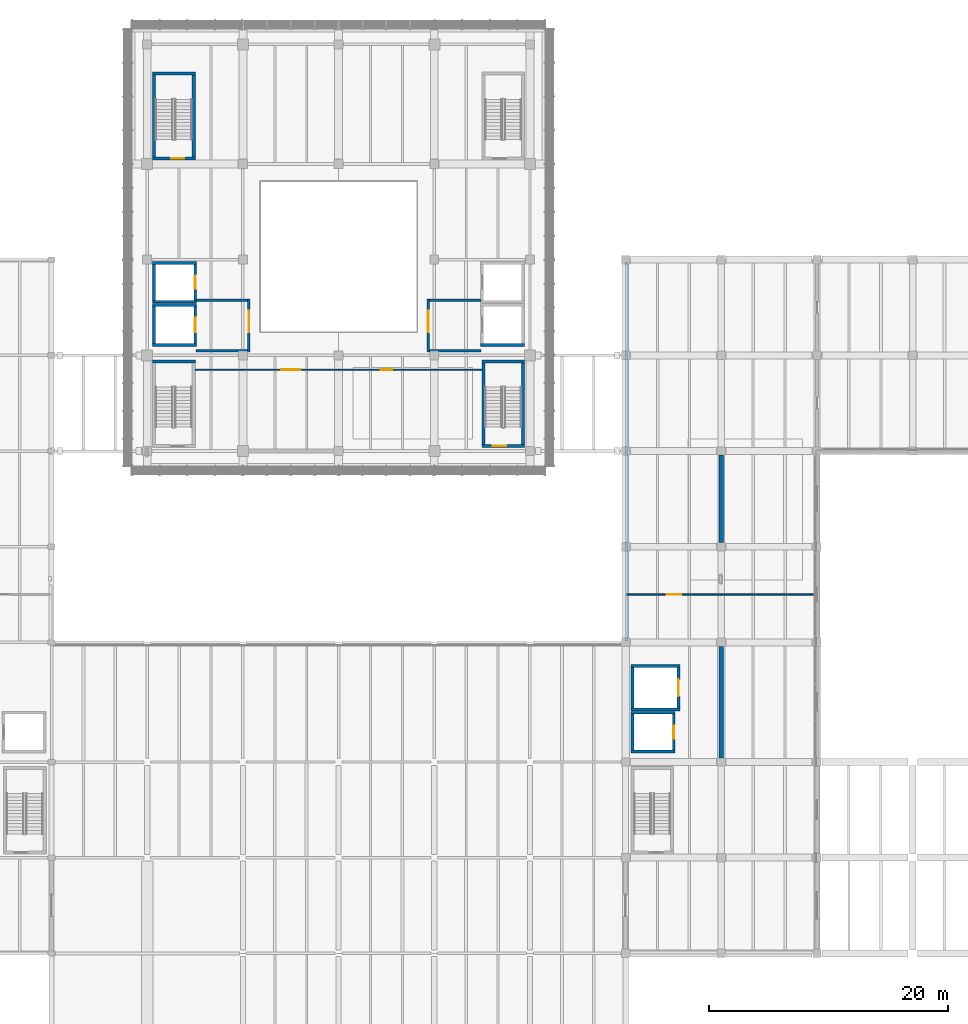
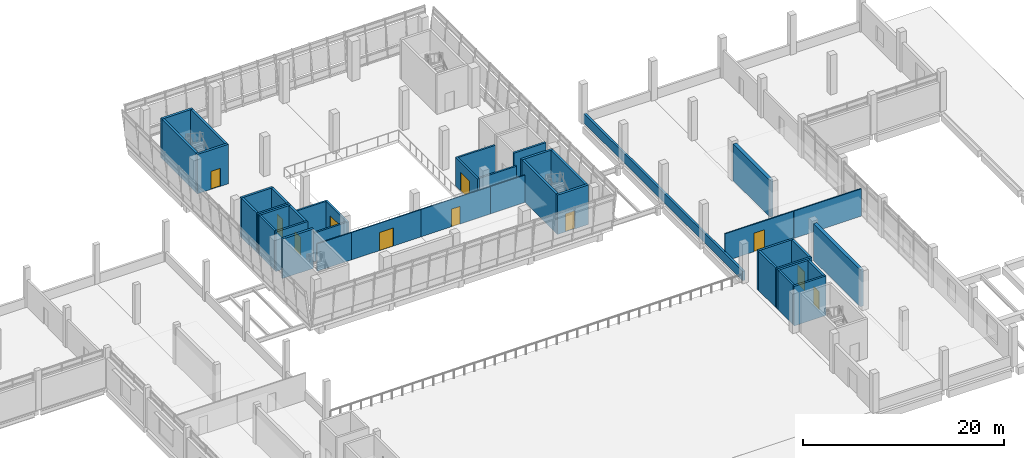
# One storey, part 32 of 52: 41 walls, 11 doors, 11 openings.
"""IFC4 building model written with IfcOpenShell, lengths in metres."""

from ifc_helpers import new_model, si_unit, direction, frame, frame_2d, origin, place, context, subcontext, project, spatial, rectangle, extrude, material, layer, layer_set, type_object, element, fill, save


model = new_model("IFC4")

# Units and contexts
model_context = context("Model", 3, precision=1e-05, world=origin(), true_north=direction((0.0, 1.0)))
body_context = subcontext(model_context, "Body", "Model", "MODEL_VIEW")
ifc_project = project(units=[si_unit("LENGTHUNIT", "METRE"), si_unit("AREAUNIT", "SQUARE_METRE"), si_unit("VOLUMEUNIT", "CUBIC_METRE"), si_unit("PLANEANGLEUNIT", "RADIAN"), si_unit("MASSUNIT", "GRAM", prefix="KILO")], contexts=[model_context])

# Site, building, storey
site_placement = place(None, origin())
site = spatial("IfcSite", under=ifc_project, at=site_placement, CompositionType="ELEMENT")
building_placement = place(site_placement, origin())
building = spatial("IfcBuilding", under=site, at=building_placement, Name="Pecanmere Concourse Central Library", CompositionType="ELEMENT")
storey_placement = place(building_placement, frame((0.0, 0.0, 10.5)))
storey = spatial("IfcBuildingStorey", under=building, at=storey_placement, Name="L03", CompositionType="ELEMENT", Elevation=10.5)

# Wall
ifc_material_1 = material(Name="Fire-rated gypsum board on acoustic steel stud", Category="steel")
ifc_layer_1 = layer(ifc_material_1, 0.114990234375, Name="IW_PART_115")
ifc_layer_set_1 = layer_set([ifc_layer_1], Name="Fire-rated gypsum board on acoustic steel stud")
wall_type_1 = type_object("IfcWallType", Name="IW_PART_115", PredefinedType="PARTITIONING", material=ifc_layer_set_1)
wall_1_placement = place(storey_placement, frame((76.030029296875, 96.800048828125, 0.0), z_axis=(0.0, 0.0, 1.0), x_axis=(1.0, 0.0, 0.0)))
element("IfcWall", 1, at=wall_1_placement, inside=storey, type_object=wall_type_1, Name="Interior Partition L03-0188", PredefinedType="PARTITIONING", context=body_context, shape_type="SweptSolid", body=[
    extrude(rectangle(XDim=3.969970703125, YDim=0.114990234375, at=frame_2d((1.98486328125, 0.0))), origin(), (0.0, 0.0, 1.0), 3.330078125),
])

# Wall, opening, door
wall_2_placement = place(storey_placement, frame((80.02001953125, 96.800048828125, 0.0), z_axis=(0.0, 0.0, 1.0), x_axis=(1.0, 0.0, 0.0)))
wall_2 = element("IfcWall", 2, at=wall_2_placement, inside=storey, type_object=wall_type_1, Name="Interior Partition L03-0189", PredefinedType="PARTITIONING", context=body_context, shape_type="SweptSolid", body=[
    extrude(rectangle(XDim=7.97998046875, YDim=0.114990234375, at=frame_2d((3.989990234375, 0.0))), origin(), (0.0, 0.0, 1.0), 3.330078125),
])
opening_1_placement = place(wall_2_placement, frame((3.18994140625, 0.0, 0.0)))
opening_1 = element("IfcOpeningElement", 3, at=opening_1_placement, cuts=wall_2, Name="Opening DT-02", PredefinedType="OPENING", context=body_context, shape_type="SweptSolid", body=[
    extrude(rectangle(XDim=1.60009765625, YDim=2.199951171875, at=frame_2d((0.800048828125, 1.10009765625))), frame((0.0, 0.0693359375, 0.0), z_axis=(0.0, -1.0, 0.0), x_axis=(1.0, 0.0, 0.0)), (0.0, 0.0, 1.0), 0.138916015625),
])
ifc_material_2 = material(Name="Solid white oak architectural joinery")
door_type_1 = type_object("IfcDoorType", Name="DT-02", OperationType="DOUBLE_DOOR_SINGLE_SWING", PredefinedType="DOOR", material=ifc_material_2)
door_1_placement = place(opening_1_placement, frame((1.60009765625, 0.0, 0.0), z_axis=(0.0, 0.0, 1.0), x_axis=(-1.0, 0.0, 0.0)))
door_1 = element("IfcDoor", 4, at=door_1_placement, inside=storey, type_object=door_type_1, Name="D-215", OperationType="DOUBLE_DOOR_SINGLE_SWING", OverallHeight=2.199951171875, OverallWidth=1.60009765625, PredefinedType="DOOR", context=body_context, shape_type="SweptSolid", body=[
    extrude(rectangle(XDim=1.60009765625, YDim=2.199951171875, at=frame_2d((0.800048828125, 1.10009765625))), frame((0.0, 0.02490234375, 0.0), z_axis=(0.0, -1.0, 0.0), x_axis=(1.0, 0.0, 0.0)), (0.0, 0.0, 1.0), 0.050048828125),
])
fill(opening_1, door_1)

wall_3_placement = place(storey_placement, frame((88.02001953125, 96.800048828125, 0.0), z_axis=(0.0, 0.0, 1.0), x_axis=(1.0, 0.0, 0.0)))
wall_3 = element("IfcWall", 5, at=wall_3_placement, inside=storey, type_object=wall_type_1, Name="Interior Partition L03-0190", PredefinedType="PARTITIONING", context=body_context, shape_type="SweptSolid", body=[
    extrude(rectangle(XDim=7.97998046875, YDim=0.114990234375, at=frame_2d((3.989990234375, 0.0))), origin(), (0.0, 0.0, 1.0), 3.330078125),
])
opening_2_placement = place(wall_3_placement, frame((3.514892578125, 0.0, 0.0)))
opening_2 = element("IfcOpeningElement", 6, at=opening_2_placement, cuts=wall_3, Name="Opening DT-06", PredefinedType="OPENING", context=body_context, shape_type="SweptSolid", body=[
    extrude(rectangle(XDim=0.949951171875, YDim=2.14990234375, at=frame_2d((0.47509765625, 1.074951171875))), frame((0.0, 0.0693359375, 0.0), z_axis=(0.0, -1.0, 0.0), x_axis=(1.0, 0.0, 0.0)), (0.0, 0.0, 1.0), 0.138916015625),
])
ifc_material_3 = material(Name="Solid white oak architectural joinery")
door_type_2 = type_object("IfcDoorType", Name="DT-06", OperationType="SINGLE_SWING_RIGHT", PredefinedType="DOOR", material=ifc_material_3)
door_2_placement = place(opening_2_placement, origin())
door_2 = element("IfcDoor", 7, at=door_2_placement, inside=storey, type_object=door_type_2, Name="D-216", OperationType="SINGLE_SWING_RIGHT", OverallHeight=2.14990234375, OverallWidth=0.949951171875, PredefinedType="DOOR", context=body_context, shape_type="SweptSolid", body=[
    extrude(rectangle(XDim=0.949951171875, YDim=2.14990234375, at=frame_2d((0.47509765625, 1.074951171875))), frame((0.0, 0.02490234375, 0.0), z_axis=(0.0, -1.0, 0.0), x_axis=(1.0, 0.0, 0.0)), (0.0, 0.0, 1.0), 0.050048828125),
])
fill(opening_2, door_2)

# Wall
wall_4_placement = place(storey_placement, frame((96.02001953125, 96.800048828125, 0.0), z_axis=(0.0, 0.0, 1.0), x_axis=(1.0, 0.0, 0.0)))
element("IfcWall", 8, at=wall_4_placement, inside=storey, type_object=wall_type_1, Name="Interior Partition L03-0191", PredefinedType="PARTITIONING", context=body_context, shape_type="SweptSolid", body=[
    extrude(rectangle(XDim=3.949951171875, YDim=0.114990234375, at=frame_2d((1.97509765625, 0.0))), origin(), (0.0, 0.0, 1.0), 3.330078125),
])

# Wall, opening, door
ifc_material_4 = material(Name="Fire-rated gypsum board on acoustic steel stud", Category="steel")
ifc_layer_2 = layer(ifc_material_4, 0.135009765625, Name="IW_PART_135")
ifc_layer_set_2 = layer_set([ifc_layer_2], Name="Fire-rated gypsum board on acoustic steel stud")
wall_type_2 = type_object("IfcWallType", Name="IW_PART_135", PredefinedType="PARTITIONING", material=ifc_layer_set_2)
wall_5_placement = place(storey_placement, frame((112.10009765625, 78.0, 0.0), z_axis=(0.0, 0.0, 1.0), x_axis=(1.0, 0.0, 0.0)))
wall_5 = element("IfcWall", 9, at=wall_5_placement, inside=storey, type_object=wall_type_2, Name="Interior Partition L03-0176", PredefinedType="PARTITIONING", context=body_context, shape_type="SweptSolid", body=[
    extrude(rectangle(XDim=7.89990234375, YDim=0.135009765625, at=frame_2d((3.949951171875, 0.0))), origin(), (0.0, 0.0, 1.0), 3.330078125),
])
opening_3_placement = place(wall_5_placement, frame((3.35009765625, 0.0, 0.0)))
opening_3 = element("IfcOpeningElement", 10, at=opening_3_placement, cuts=wall_5, Name="Opening FD-04", PredefinedType="OPENING", context=body_context, shape_type="SweptSolid", body=[
    extrude(rectangle(XDim=1.199951171875, YDim=2.25, at=frame_2d((0.60009765625, 1.125))), frame((0.0, 0.07958984375, 0.0), z_axis=(0.0, -1.0, 0.0), x_axis=(1.0, 0.0, 0.0)), (0.0, 0.0, 1.0), 0.158935546875),
])
ifc_material_5 = material(Name="Painted architectural steel ASTM A36", Category="steel")
door_type_3 = type_object("IfcDoorType", Name="FD-04", OperationType="SINGLE_SWING_LEFT", PredefinedType="DOOR", material=ifc_material_5)
door_3_placement = place(opening_3_placement, frame((1.199951171875, 0.0, 0.0), z_axis=(0.0, 0.0, 1.0), x_axis=(-1.0, 0.0, 0.0)))
door_3 = element("IfcDoor", 11, at=door_3_placement, inside=storey, type_object=door_type_3, Name="D-207", OperationType="SINGLE_SWING_LEFT", OverallHeight=2.25, OverallWidth=1.199951171875, PredefinedType="DOOR", context=body_context, shape_type="SweptSolid", body=[
    extrude(rectangle(XDim=1.199951171875, YDim=2.25, at=frame_2d((0.60009765625, 1.125))), frame((0.0, 0.02490234375, 0.0), z_axis=(0.0, -1.0, 0.0), x_axis=(1.0, 0.0, 0.0)), (0.0, 0.0, 1.0), 0.050048828125),
])
fill(opening_3, door_3)

# Walls
wall_6_placement = place(storey_placement, frame((120.02001953125, 78.0, 0.0), z_axis=(0.0, 0.0, 1.0), x_axis=(1.0, 0.0, 0.0)))
element("IfcWall", 12, at=wall_6_placement, inside=storey, type_object=wall_type_2, Name="Interior Partition L03-0177", PredefinedType="PARTITIONING", context=body_context, shape_type="SweptSolid", body=[
    extrude(rectangle(XDim=7.794921875, YDim=0.135009765625, at=frame_2d((3.8974609375, 0.0))), origin(), (0.0, 0.0, 1.0), 3.330078125),
])
ifc_material_6 = material(Name="Fire-rated gypsum board on acoustic steel stud", Category="steel")
ifc_layer_3 = layer(ifc_material_6, 0.199951171875, Name="IW_PART_200")
ifc_layer_set_3 = layer_set([ifc_layer_3], Name="Fire-rated gypsum board on acoustic steel stud")
wall_type_3 = type_object("IfcWallType", Name="IW_PART_200", PredefinedType="PARTITIONING", material=ifc_layer_set_3)
for number, where, z_axis, x_axis, name in (
    (13, (76.10009765625, 98.39990234375, 0.0), (0.0, 0.0, 1.0), (1.0, 0.0, 0.0), "Firefighting Lobby Wall W-L03-S"),
    (14, (76.10009765625, 102.60009765625, 0.0), (0.0, 0.0, 1.0), (1.0, 0.0, 0.0), "Firefighting Lobby Wall W-L03-N"),
):
    element("IfcWall", number, at=place(storey_placement, frame(where, z_axis=z_axis, x_axis=x_axis)), inside=storey, type_object=wall_type_3, Name=name, PredefinedType="PARTITIONING", context=body_context, shape_type="SweptSolid", body=[
        extrude(rectangle(XDim=4.27978515625, YDim=0.199951171875, at=frame_2d((2.139892578125, 0.0))), origin(), (0.0, 0.0, 1.0), 3.5),
    ])

# Wall, opening, door
wall_7_placement = place(storey_placement, frame((80.5, 98.300048828125, 0.0), z_axis=(0.0, 0.0, 1.0), x_axis=(0.0, 1.0, 0.0)))
wall_7 = element("IfcWall", 15, at=wall_7_placement, inside=storey, type_object=wall_type_3, Name="Firefighting Lobby Door Wall W-L03", PredefinedType="PARTITIONING", context=body_context, shape_type="SweptSolid", body=[
    extrude(rectangle(XDim=4.39990234375, YDim=0.199951171875, at=frame_2d((2.199951171875, 0.0))), origin(), (0.0, 0.0, 1.0), 3.5),
])
opening_4_placement = place(wall_7_placement, frame((1.6201171875, 0.0, 0.0)))
opening_4 = element("IfcOpeningElement", 16, at=opening_4_placement, cuts=wall_7, Name="Opening FD-03", PredefinedType="OPENING", context=body_context, shape_type="SweptSolid", body=[
    extrude(rectangle(XDim=1.800048828125, YDim=2.25, at=frame_2d((0.89990234375, 1.125))), frame((0.0, 0.11181640625, 0.0), z_axis=(0.0, -1.0, 0.0), x_axis=(1.0, 0.0, 0.0)), (0.0, 0.0, 1.0), 0.223876953125),
])
ifc_material_7 = material(Name="Painted architectural steel ASTM A36", Category="steel")
door_type_4 = type_object("IfcDoorType", Name="FD-03", OperationType="DOUBLE_DOOR_SINGLE_SWING", PredefinedType="DOOR", material=ifc_material_7)
door_4_placement = place(opening_4_placement, origin())
door_4 = element("IfcDoor", 17, at=door_4_placement, inside=storey, type_object=door_type_4, Name="D-115", OperationType="DOUBLE_DOOR_SINGLE_SWING", OverallHeight=2.25, OverallWidth=1.800048828125, PredefinedType="DOOR", context=body_context, shape_type="SweptSolid", body=[
    extrude(rectangle(XDim=1.800048828125, YDim=2.25, at=frame_2d((0.89990234375, 1.125))), frame((0.0, 0.02490234375, 0.0), z_axis=(0.0, -1.0, 0.0), x_axis=(1.0, 0.0, 0.0)), (0.0, 0.0, 1.0), 0.050048828125),
])
fill(opening_4, door_4)

# Walls
for number, where, z_axis, x_axis, name in (
    (18, (95.6201171875, 98.39990234375, 0.0), (0.0, 0.0, 1.0), (1.0, 0.0, 0.0), "Firefighting Lobby Wall E-L03-S"),
    (19, (95.6201171875, 102.60009765625, 0.0), (0.0, 0.0, 1.0), (1.0, 0.0, 0.0), "Firefighting Lobby Wall E-L03-N"),
):
    element("IfcWall", number, at=place(storey_placement, frame(where, z_axis=z_axis, x_axis=x_axis)), inside=storey, type_object=wall_type_3, Name=name, PredefinedType="PARTITIONING", context=body_context, shape_type="SweptSolid", body=[
        extrude(rectangle(XDim=4.27978515625, YDim=0.199951171875, at=frame_2d((2.139892578125, 0.0))), origin(), (0.0, 0.0, 1.0), 3.5),
    ])

# Wall, opening, door
wall_8_placement = place(storey_placement, frame((95.5, 98.300048828125, 0.0), z_axis=(0.0, 0.0, 1.0), x_axis=(0.0, 1.0, 0.0)))
wall_8 = element("IfcWall", 20, at=wall_8_placement, inside=storey, type_object=wall_type_3, Name="Firefighting Lobby Door Wall E-L03", PredefinedType="PARTITIONING", context=body_context, shape_type="SweptSolid", body=[
    extrude(rectangle(XDim=4.39990234375, YDim=0.199951171875, at=frame_2d((2.199951171875, 0.0))), origin(), (0.0, 0.0, 1.0), 3.5),
])
opening_5_placement = place(wall_8_placement, frame((1.6201171875, 0.0, 0.0)))
opening_5 = element("IfcOpeningElement", 21, at=opening_5_placement, cuts=wall_8, Name="Opening FD-03", PredefinedType="OPENING", context=body_context, shape_type="SweptSolid", body=[
    extrude(rectangle(XDim=1.800048828125, YDim=2.25, at=frame_2d((0.89990234375, 1.125))), frame((0.0, 0.11181640625, 0.0), z_axis=(0.0, -1.0, 0.0), x_axis=(1.0, 0.0, 0.0)), (0.0, 0.0, 1.0), 0.223876953125),
])
door_5_placement = place(opening_5_placement, origin())
door_5 = element("IfcDoor", 22, at=door_5_placement, inside=storey, type_object=door_type_4, Name="D-116", OperationType="DOUBLE_DOOR_SINGLE_SWING", OverallHeight=2.25, OverallWidth=1.800048828125, PredefinedType="DOOR", context=body_context, shape_type="SweptSolid", body=[
    extrude(rectangle(XDim=1.800048828125, YDim=2.25, at=frame_2d((0.89990234375, 1.125))), frame((0.0, 0.02490234375, 0.0), z_axis=(0.0, -1.0, 0.0), x_axis=(1.0, 0.0, 0.0)), (0.0, 0.0, 1.0), 0.050048828125),
])
fill(opening_5, door_5)

# Walls
ifc_material_8 = material(Name="Texas cream limestone ashlar masonry", Category="masonry")
ifc_layer_4 = layer(ifc_material_8, 0.25, Name="PW_PARA_250")
ifc_layer_set_4 = layer_set([ifc_layer_4], Name="Texas cream limestone ashlar masonry")
wall_type_4 = type_object("IfcWallType", Name="PW_PARA_250", PredefinedType="PARAPET", material=ifc_layer_set_4)
wall_9_placement = place(storey_placement, frame((112.063720703125, 74.1044921875, 0.0), z_axis=(0.0, 0.0, 1.0), x_axis=(0.000200271132, 0.999999979946, 0.0)))
element("IfcWall", 23, at=wall_9_placement, inside=storey, type_object=wall_type_4, Name="Step-Back Parapet Wall L03-119", PredefinedType="PARAPET", context=body_context, shape_type="SweptSolid", body=[
    extrude(rectangle(XDim=31.6953125, YDim=0.25, at=frame_2d((15.84765625, 0.0))), origin(), (0.0, 0.0, 1.0), 1.14990234375),
])
ifc_material_9 = material(Name="Concrete C40/50", Category="concrete")
ifc_layer_5 = layer(ifc_material_9, 0.3798828125, Name="WALL_SHR_380")
ifc_layer_set_5 = layer_set([ifc_layer_5], Name="Concrete C40/50")
wall_type_5 = type_object("IfcWallType", Name="WALL_SHR_380", PredefinedType="SHEAR", material=ifc_layer_set_5)
wall_10_placement = place(storey_placement, frame((120.0, 64.35009765625, 0.0), z_axis=(0.0, 0.0, 1.0), x_axis=(0.0, 1.0, 0.0)))
element("IfcWall", 24, at=wall_10_placement, inside=storey, type_object=wall_type_5, Name="Lateral Shear Wall L03-004", PredefinedType="SHEAR", context=body_context, shape_type="SweptSolid", body=[
    extrude(rectangle(XDim=9.2998046875, YDim=0.3798828125, at=frame_2d((4.64990234375, 0.0))), origin(), (0.0, 0.0, 1.0), 4.47998046875),
])
wall_11_placement = place(storey_placement, frame((120.0, 82.35009765625, 0.0), z_axis=(0.0, 0.0, 1.0), x_axis=(0.0, 1.0, 0.0)))
element("IfcWall", 25, at=wall_11_placement, inside=storey, type_object=wall_type_5, Name="Lateral Shear Wall L03-010", PredefinedType="SHEAR", context=body_context, shape_type="SweptSolid", body=[
    extrude(rectangle(XDim=7.2998046875, YDim=0.3798828125, at=frame_2d((3.64990234375, 0.0))), origin(), (0.0, 0.0, 1.0), 4.47998046875),
])
ifc_material_10 = material(Name="Concrete C40/50", Category="concrete")
ifc_layer_6 = layer(ifc_material_10, 0.239990234375, Name="WALL_SLD_240")
ifc_layer_set_6 = layer_set([ifc_layer_6], Name="Concrete C40/50")
wall_type_6 = type_object("IfcWallType", Name="WALL_SLD_240", PredefinedType="SOLIDWALL", material=ifc_layer_set_6)
for number, where, z_axis, x_axis, name in (
    (26, (72.4599609375, 98.8798828125, 0.0), (0.0, 0.0, 1.0), (1.0, 0.0, 0.0), "Hoistway Wall LF-01 L03-S"),
    (27, (72.4599609375, 102.219970703125, 0.0), (0.0, 0.0, 1.0), (1.0, 0.0, 0.0), "Hoistway Wall LF-01 L03-N"),
):
    element("IfcWall", number, at=place(storey_placement, frame(where, z_axis=z_axis, x_axis=x_axis)), inside=storey, type_object=wall_type_6, Name=name, PredefinedType="SOLIDWALL", context=body_context, shape_type="SweptSolid", body=[
        extrude(rectangle(XDim=3.679931640625, YDim=0.239990234375, at=frame_2d((1.83984375, 0.0))), origin(), (0.0, 0.0, 1.0), 4.800048828125),
    ])
wall_12_placement = place(storey_placement, frame((72.580078125, 99.0, 0.0), z_axis=(0.0, 0.0, 1.0), x_axis=(0.0, 1.0, 0.0)))
element("IfcWall", 28, at=wall_12_placement, inside=storey, type_object=wall_type_6, Name="Hoistway Wall LF-01 L03-W", PredefinedType="SOLIDWALL", context=body_context, shape_type="SweptSolid", body=[
    extrude(rectangle(XDim=3.10009765625, YDim=0.239990234375, at=frame_2d((1.550048828125, 0.0))), origin(), (0.0, 0.0, 1.0), 4.800048828125),
])

# Wall, opening, door
wall_13_placement = place(storey_placement, frame((76.02001953125, 99.0, 0.0), z_axis=(0.0, 0.0, 1.0), x_axis=(0.0, 1.0, 0.0)))
wall_13 = element("IfcWall", 29, at=wall_13_placement, inside=storey, type_object=wall_type_6, Name="Hoistway Wall LF-01 L03-E", PredefinedType="SOLIDWALL", context=body_context, shape_type="SweptSolid", body=[
    extrude(rectangle(XDim=3.10009765625, YDim=0.239990234375, at=frame_2d((1.550048828125, 0.0))), origin(), (0.0, 0.0, 1.0), 4.800048828125),
])
opening_6_placement = place(wall_13_placement, frame((0.949951171875, 0.0, 0.0)))
opening_6 = element("IfcOpeningElement", 30, at=opening_6_placement, cuts=wall_13, Name="Opening LD-02", PredefinedType="OPENING", context=body_context, shape_type="SweptSolid", body=[
    extrude(rectangle(XDim=1.199951171875, YDim=2.199951171875, at=frame_2d((0.60009765625, 1.10009765625))), frame((0.0, 0.1318359375, 0.0), z_axis=(0.0, -1.0, 0.0), x_axis=(1.0, 0.0, 0.0)), (0.0, 0.0, 1.0), 0.263916015625),
])
ifc_material_11 = material(Name="Brushed stainless steel Grade 316", Category="steel")
door_type_5 = type_object("IfcDoorType", Name="LD-02", OperationType="DOUBLE_DOOR_SLIDING", PredefinedType="DOOR", material=ifc_material_11)
door_6_placement = place(opening_6_placement, origin())
door_6 = element("IfcDoor", 31, at=door_6_placement, inside=storey, type_object=door_type_5, Name="LD-LF-01-L03", OperationType="DOUBLE_DOOR_SLIDING", OverallHeight=2.199951171875, OverallWidth=1.199951171875, PredefinedType="DOOR", context=body_context, shape_type="SweptSolid", body=[
    extrude(rectangle(XDim=1.199951171875, YDim=2.199951171875, at=frame_2d((0.60009765625, 1.10009765625))), frame((0.0, 0.02490234375, 0.0), z_axis=(0.0, -1.0, 0.0), x_axis=(1.0, 0.0, 0.0)), (0.0, 0.0, 1.0), 0.050048828125),
])
fill(opening_6, door_6)

# Walls
for number, where, z_axis, x_axis, name in (
    (32, (72.4599609375, 102.47998046875, 0.0), (0.0, 0.0, 1.0), (1.0, 0.0, 0.0), "Hoistway Wall LP-01 L03-S"),
    (33, (72.4599609375, 105.719970703125, 0.0), (0.0, 0.0, 1.0), (1.0, 0.0, 0.0), "Hoistway Wall LP-01 L03-N"),
):
    element("IfcWall", number, at=place(storey_placement, frame(where, z_axis=z_axis, x_axis=x_axis)), inside=storey, type_object=wall_type_6, Name=name, PredefinedType="SOLIDWALL", context=body_context, shape_type="SweptSolid", body=[
        extrude(rectangle(XDim=3.679931640625, YDim=0.239990234375, at=frame_2d((1.83984375, 0.0))), origin(), (0.0, 0.0, 1.0), 4.800048828125),
    ])
wall_14_placement = place(storey_placement, frame((72.580078125, 102.60009765625, 0.0), z_axis=(0.0, 0.0, 1.0), x_axis=(0.0, 1.0, 0.0)))
element("IfcWall", 34, at=wall_14_placement, inside=storey, type_object=wall_type_6, Name="Hoistway Wall LP-01 L03-W", PredefinedType="SOLIDWALL", context=body_context, shape_type="SweptSolid", body=[
    extrude(rectangle(XDim=3.0, YDim=0.239990234375, at=frame_2d((1.5, 0.0))), origin(), (0.0, 0.0, 1.0), 4.800048828125),
])

# Wall, opening, door
wall_15_placement = place(storey_placement, frame((76.02001953125, 102.60009765625, 0.0), z_axis=(0.0, 0.0, 1.0), x_axis=(0.0, 1.0, 0.0)))
wall_15 = element("IfcWall", 35, at=wall_15_placement, inside=storey, type_object=wall_type_6, Name="Hoistway Wall LP-01 L03-E", PredefinedType="SOLIDWALL", context=body_context, shape_type="SweptSolid", body=[
    extrude(rectangle(XDim=3.0, YDim=0.239990234375, at=frame_2d((1.5, 0.0))), origin(), (0.0, 0.0, 1.0), 4.800048828125),
])
opening_7_placement = place(wall_15_placement, frame((0.949951171875, 0.0, 0.0)))
opening_7 = element("IfcOpeningElement", 36, at=opening_7_placement, cuts=wall_15, Name="Opening LD-01", PredefinedType="OPENING", context=body_context, shape_type="SweptSolid", body=[
    extrude(rectangle(XDim=1.10009765625, YDim=2.199951171875, at=frame_2d((0.550048828125, 1.10009765625))), frame((0.0, 0.1318359375, 0.0), z_axis=(0.0, -1.0, 0.0), x_axis=(1.0, 0.0, 0.0)), (0.0, 0.0, 1.0), 0.263916015625),
])
ifc_material_12 = material(Name="Brushed stainless steel Grade 316", Category="steel")
door_type_6 = type_object("IfcDoorType", Name="LD-01", OperationType="DOUBLE_DOOR_SLIDING", PredefinedType="DOOR", material=ifc_material_12)
door_7_placement = place(opening_7_placement, origin())
door_7 = element("IfcDoor", 37, at=door_7_placement, inside=storey, type_object=door_type_6, Name="LD-LP-01-L03", OperationType="DOUBLE_DOOR_SLIDING", OverallHeight=2.199951171875, OverallWidth=1.10009765625, PredefinedType="DOOR", context=body_context, shape_type="SweptSolid", body=[
    extrude(rectangle(XDim=1.10009765625, YDim=2.199951171875, at=frame_2d((0.550048828125, 1.10009765625))), frame((0.0, 0.02490234375, 0.0), z_axis=(0.0, -1.0, 0.0), x_axis=(1.0, 0.0, 0.0)), (0.0, 0.0, 1.0), 0.050048828125),
])
fill(opening_7, door_7)

# Walls
for number, where, z_axis, x_axis, name in (
    (38, (99.860107421875, 98.8798828125, 0.0), (0.0, 0.0, 1.0), (1.0, 0.0, 0.0), "Hoistway Wall LF-02 L03-S"),
    (39, (112.4599609375, 64.8798828125, 0.0), (0.0, 0.0, 1.0), (1.0, 0.0, 0.0), "Hoistway Wall LP-03 L03-S"),
    (40, (112.4599609375, 68.1201171875, 0.0), (0.0, 0.0, 1.0), (1.0, 0.0, 0.0), "Hoistway Wall LP-03 L03-N"),
):
    element("IfcWall", number, at=place(storey_placement, frame(where, z_axis=z_axis, x_axis=x_axis)), inside=storey, type_object=wall_type_6, Name=name, PredefinedType="SOLIDWALL", context=body_context, shape_type="SweptSolid", body=[
        extrude(rectangle(XDim=3.679931640625, YDim=0.239990234375, at=frame_2d((1.83984375, 0.0))), origin(), (0.0, 0.0, 1.0), 4.800048828125),
    ])
wall_16_placement = place(storey_placement, frame((112.580078125, 65.0, 0.0), z_axis=(0.0, 0.0, 1.0), x_axis=(0.0, 1.0, 0.0)))
element("IfcWall", 41, at=wall_16_placement, inside=storey, type_object=wall_type_6, Name="Hoistway Wall LP-03 L03-W", PredefinedType="SOLIDWALL", context=body_context, shape_type="SweptSolid", body=[
    extrude(rectangle(XDim=3.0, YDim=0.239990234375, at=frame_2d((1.5, 0.0))), origin(), (0.0, 0.0, 1.0), 4.800048828125),
])

# Wall, opening, door
wall_17_placement = place(storey_placement, frame((116.02001953125, 65.0, 0.0), z_axis=(0.0, 0.0, 1.0), x_axis=(0.0, 1.0, 0.0)))
wall_17 = element("IfcWall", 42, at=wall_17_placement, inside=storey, type_object=wall_type_6, Name="Hoistway Wall LP-03 L03-E", PredefinedType="SOLIDWALL", context=body_context, shape_type="SweptSolid", body=[
    extrude(rectangle(XDim=3.0, YDim=0.239990234375, at=frame_2d((1.5, 0.0))), origin(), (0.0, 0.0, 1.0), 4.800048828125),
])
opening_8_placement = place(wall_17_placement, frame((0.949951171875, 0.0, 0.0)))
opening_8 = element("IfcOpeningElement", 43, at=opening_8_placement, cuts=wall_17, Name="Opening LD-01", PredefinedType="OPENING", context=body_context, shape_type="SweptSolid", body=[
    extrude(rectangle(XDim=1.10009765625, YDim=2.199951171875, at=frame_2d((0.550048828125, 1.10009765625))), frame((0.0, 0.1318359375, 0.0), z_axis=(0.0, -1.0, 0.0), x_axis=(1.0, 0.0, 0.0)), (0.0, 0.0, 1.0), 0.263916015625),
])
door_8_placement = place(opening_8_placement, origin())
door_8 = element("IfcDoor", 44, at=door_8_placement, inside=storey, type_object=door_type_6, Name="LD-LP-03-L03", OperationType="DOUBLE_DOOR_SLIDING", OverallHeight=2.199951171875, OverallWidth=1.10009765625, PredefinedType="DOOR", context=body_context, shape_type="SweptSolid", body=[
    extrude(rectangle(XDim=1.10009765625, YDim=2.199951171875, at=frame_2d((0.550048828125, 1.10009765625))), frame((0.0, 0.02490234375, 0.0), z_axis=(0.0, -1.0, 0.0), x_axis=(1.0, 0.0, 0.0)), (0.0, 0.0, 1.0), 0.050048828125),
])
fill(opening_8, door_8)

# Walls
for number, where, z_axis, x_axis, name in (
    (45, (112.4599609375, 68.3798828125, 0.0), (0.0, 0.0, 1.0), (1.0, 0.0, 0.0), "Hoistway Wall LS-01 L03-S"),
    (46, (112.4599609375, 72.02001953125, 0.0), (0.0, 0.0, 1.0), (1.0, 0.0, 0.0), "Hoistway Wall LS-01 L03-N"),
):
    element("IfcWall", number, at=place(storey_placement, frame(where, z_axis=z_axis, x_axis=x_axis)), inside=storey, type_object=wall_type_6, Name=name, PredefinedType="SOLIDWALL", context=body_context, shape_type="SweptSolid", body=[
        extrude(rectangle(XDim=4.080078125, YDim=0.239990234375, at=frame_2d((2.0400390625, 0.0))), origin(), (0.0, 0.0, 1.0), 4.800048828125),
    ])
wall_18_placement = place(storey_placement, frame((112.580078125, 68.5, 0.0), z_axis=(0.0, 0.0, 1.0), x_axis=(0.0, 1.0, 0.0)))
element("IfcWall", 47, at=wall_18_placement, inside=storey, type_object=wall_type_6, Name="Hoistway Wall LS-01 L03-W", PredefinedType="SOLIDWALL", context=body_context, shape_type="SweptSolid", body=[
    extrude(rectangle(XDim=3.39990234375, YDim=0.239990234375, at=frame_2d((1.699951171875, 0.0))), origin(), (0.0, 0.0, 1.0), 4.800048828125),
])

# Wall, opening, door
wall_19_placement = place(storey_placement, frame((116.419921875, 68.5, 0.0), z_axis=(0.0, 0.0, 1.0), x_axis=(0.0, 1.0, 0.0)))
wall_19 = element("IfcWall", 48, at=wall_19_placement, inside=storey, type_object=wall_type_6, Name="Hoistway Wall LS-01 L03-E", PredefinedType="SOLIDWALL", context=body_context, shape_type="SweptSolid", body=[
    extrude(rectangle(XDim=3.39990234375, YDim=0.239990234375, at=frame_2d((1.699951171875, 0.0))), origin(), (0.0, 0.0, 1.0), 4.800048828125),
])
opening_9_placement = place(wall_19_placement, frame((1.0, 0.0, 0.0)))
opening_9 = element("IfcOpeningElement", 49, at=opening_9_placement, cuts=wall_19, Name="Opening LD-03", PredefinedType="OPENING", context=body_context, shape_type="SweptSolid", body=[
    extrude(rectangle(XDim=1.39990234375, YDim=2.300048828125, at=frame_2d((0.699951171875, 1.14990234375))), frame((0.0, 0.1318359375, 0.0), z_axis=(0.0, -1.0, 0.0), x_axis=(1.0, 0.0, 0.0)), (0.0, 0.0, 1.0), 0.263916015625),
])
ifc_material_13 = material(Name="Brushed stainless steel Grade 316", Category="steel")
door_type_7 = type_object("IfcDoorType", Name="LD-03", OperationType="DOUBLE_DOOR_SLIDING", PredefinedType="DOOR", material=ifc_material_13)
door_9_placement = place(opening_9_placement, origin())
door_9 = element("IfcDoor", 50, at=door_9_placement, inside=storey, type_object=door_type_7, Name="LD-LS-01-L03", OperationType="DOUBLE_DOOR_SLIDING", OverallHeight=2.300048828125, OverallWidth=1.39990234375, PredefinedType="DOOR", context=body_context, shape_type="SweptSolid", body=[
    extrude(rectangle(XDim=1.39990234375, YDim=2.300048828125, at=frame_2d((0.699951171875, 1.14990234375))), frame((0.0, 0.02490234375, 0.0), z_axis=(0.0, -1.0, 0.0), x_axis=(1.0, 0.0, 0.0)), (0.0, 0.0, 1.0), 0.050048828125),
])
fill(opening_9, door_9)

# Wall
ifc_material_14 = material(Name="Concrete C40/50", Category="concrete")
ifc_layer_7 = layer(ifc_material_14, 0.260009765625, Name="WALL_SLD_260")
ifc_layer_set_7 = layer_set([ifc_layer_7], Name="Concrete C40/50")
wall_type_7 = type_object("IfcWallType", Name="WALL_SLD_260", PredefinedType="SOLIDWALL", material=ifc_layer_set_7)
wall_20_placement = place(storey_placement, frame((72.43994140625, 97.5, 0.0), z_axis=(0.0, 0.0, 1.0), x_axis=(1.0, 0.0, 0.0)))
element("IfcWall", 51, at=wall_20_placement, inside=storey, type_object=wall_type_7, Name="Core C1 North Wall L03", PredefinedType="SOLIDWALL", context=body_context, shape_type="SweptSolid", body=[
    extrude(rectangle(XDim=3.580078125, YDim=0.260009765625, at=frame_2d((1.7900390625, 0.0))), origin(), (0.0, 0.0, 1.0), 4.800048828125),
])

# Wall, opening, door
wall_21_placement = place(storey_placement, frame((99.97998046875, 90.419921875, 0.0), z_axis=(0.0, 0.0, 1.0), x_axis=(1.0, 0.0, 0.0)))
wall_21 = element("IfcWall", 52, at=wall_21_placement, inside=storey, type_object=wall_type_7, Name="Core C2 South Wall L03", PredefinedType="SOLIDWALL", context=body_context, shape_type="SweptSolid", body=[
    extrude(rectangle(XDim=3.580078125, YDim=0.260009765625, at=frame_2d((1.7900390625, 0.0))), origin(), (0.0, 0.0, 1.0), 4.800048828125),
])
opening_10_placement = place(wall_21_placement, frame((0.919921875, 0.0, 0.0)))
opening_10 = element("IfcOpeningElement", 53, at=opening_10_placement, cuts=wall_21, Name="Opening FD-02", PredefinedType="OPENING", context=body_context, shape_type="SweptSolid", body=[
    extrude(rectangle(XDim=1.10009765625, YDim=2.199951171875, at=frame_2d((0.550048828125, 1.10009765625))), frame((0.0, 0.14208984375, 0.0), z_axis=(0.0, -1.0, 0.0), x_axis=(1.0, 0.0, 0.0)), (0.0, 0.0, 1.0), 0.283935546875),
])
ifc_material_15 = material(Name="Painted architectural steel ASTM A36", Category="steel")
door_type_8 = type_object("IfcDoorType", Name="FD-02", OperationType="SINGLE_SWING_RIGHT", PredefinedType="DOOR", material=ifc_material_15)
door_10_placement = place(opening_10_placement, origin())
door_10 = element("IfcDoor", 54, at=door_10_placement, inside=storey, type_object=door_type_8, Name="D-012", OperationType="SINGLE_SWING_RIGHT", OverallHeight=2.199951171875, OverallWidth=1.10009765625, PredefinedType="DOOR", context=body_context, shape_type="SweptSolid", body=[
    extrude(rectangle(XDim=1.10009765625, YDim=2.199951171875, at=frame_2d((0.550048828125, 1.10009765625))), frame((0.0, 0.02490234375, 0.0), z_axis=(0.0, -1.0, 0.0), x_axis=(1.0, 0.0, 0.0)), (0.0, 0.0, 1.0), 0.050048828125),
])
fill(opening_10, door_10)

# Walls
wall_22_placement = place(storey_placement, frame((99.97998046875, 97.5, 0.0), z_axis=(0.0, 0.0, 1.0), x_axis=(1.0, 0.0, 0.0)))
element("IfcWall", 55, at=wall_22_placement, inside=storey, type_object=wall_type_7, Name="Core C2 North Wall L03", PredefinedType="SOLIDWALL", context=body_context, shape_type="SweptSolid", body=[
    extrude(rectangle(XDim=3.580078125, YDim=0.260009765625, at=frame_2d((1.7900390625, 0.0))), origin(), (0.0, 0.0, 1.0), 4.800048828125),
])
for number, where, z_axis, x_axis, name in (
    (56, (100.110107421875, 90.550048828125, 0.0), (0.0, 0.0, 1.0), (0.0, 1.0, 0.0), "Core C2 W Wall L03"),
    (57, (103.429931640625, 90.550048828125, 0.0), (0.0, 0.0, 1.0), (0.0, 1.0, 0.0), "Core C2 E Wall L03"),
):
    element("IfcWall", number, at=place(storey_placement, frame(where, z_axis=z_axis, x_axis=x_axis)), inside=storey, type_object=wall_type_7, Name=name, PredefinedType="SOLIDWALL", context=body_context, shape_type="SweptSolid", body=[
        extrude(rectangle(XDim=6.820068359375, YDim=0.260009765625, at=frame_2d((3.41015625, 0.0))), origin(), (0.0, 0.0, 1.0), 4.800048828125),
    ])

# Wall, opening, door
wall_23_placement = place(storey_placement, frame((72.43994140625, 114.469970703125, 0.0), z_axis=(0.0, 0.0, 1.0), x_axis=(1.0, 0.0, 0.0)))
wall_23 = element("IfcWall", 58, at=wall_23_placement, inside=storey, type_object=wall_type_7, Name="Core C3 South Wall L03", PredefinedType="SOLIDWALL", context=body_context, shape_type="SweptSolid", body=[
    extrude(rectangle(XDim=3.580078125, YDim=0.260009765625, at=frame_2d((1.7900390625, 0.0))), origin(), (0.0, 0.0, 1.0), 4.800048828125),
])
opening_11_placement = place(wall_23_placement, frame((1.56005859375, 0.0, 0.0)))
opening_11 = element("IfcOpeningElement", 59, at=opening_11_placement, cuts=wall_23, Name="Opening FD-01", PredefinedType="OPENING", context=body_context, shape_type="SweptSolid", body=[
    extrude(rectangle(XDim=1.10009765625, YDim=2.199951171875, at=frame_2d((0.550048828125, 1.10009765625))), frame((0.0, 0.14208984375, 0.0), z_axis=(0.0, -1.0, 0.0), x_axis=(1.0, 0.0, 0.0)), (0.0, 0.0, 1.0), 0.283935546875),
])
ifc_material_16 = material(Name="Painted architectural steel ASTM A36", Category="steel")
door_type_9 = type_object("IfcDoorType", Name="FD-01", OperationType="SINGLE_SWING_LEFT", PredefinedType="DOOR", material=ifc_material_16)
door_11_placement = place(opening_11_placement, origin())
door_11 = element("IfcDoor", 60, at=door_11_placement, inside=storey, type_object=door_type_9, Name="D-020", OperationType="SINGLE_SWING_LEFT", OverallHeight=2.199951171875, OverallWidth=1.10009765625, PredefinedType="DOOR", context=body_context, shape_type="SweptSolid", body=[
    extrude(rectangle(XDim=1.10009765625, YDim=2.199951171875, at=frame_2d((0.550048828125, 1.10009765625))), frame((0.0, 0.02490234375, 0.0), z_axis=(0.0, -1.0, 0.0), x_axis=(1.0, 0.0, 0.0)), (0.0, 0.0, 1.0), 0.050048828125),
])
fill(opening_11, door_11)

# Walls
wall_24_placement = place(storey_placement, frame((72.43994140625, 121.550048828125, 0.0), z_axis=(0.0, 0.0, 1.0), x_axis=(1.0, 0.0, 0.0)))
element("IfcWall", 61, at=wall_24_placement, inside=storey, type_object=wall_type_7, Name="Core C3 North Wall L03", PredefinedType="SOLIDWALL", context=body_context, shape_type="SweptSolid", body=[
    extrude(rectangle(XDim=3.580078125, YDim=0.260009765625, at=frame_2d((1.7900390625, 0.0))), origin(), (0.0, 0.0, 1.0), 4.800048828125),
])
for number, where, z_axis, x_axis, name in (
    (62, (72.570068359375, 114.60009765625, 0.0), (0.0, 0.0, 1.0), (0.0, 1.0, 0.0), "Core C3 W Wall L03"),
    (63, (75.889892578125, 114.60009765625, 0.0), (0.0, 0.0, 1.0), (0.0, 1.0, 0.0), "Core C3 E Wall L03"),
):
    element("IfcWall", number, at=place(storey_placement, frame(where, z_axis=z_axis, x_axis=x_axis)), inside=storey, type_object=wall_type_7, Name=name, PredefinedType="SOLIDWALL", context=body_context, shape_type="SweptSolid", body=[
        extrude(rectangle(XDim=6.81982421875, YDim=0.260009765625, at=frame_2d((3.409912109375, 0.0))), origin(), (0.0, 0.0, 1.0), 4.800048828125),
    ])

save(model, "model.ifc")
